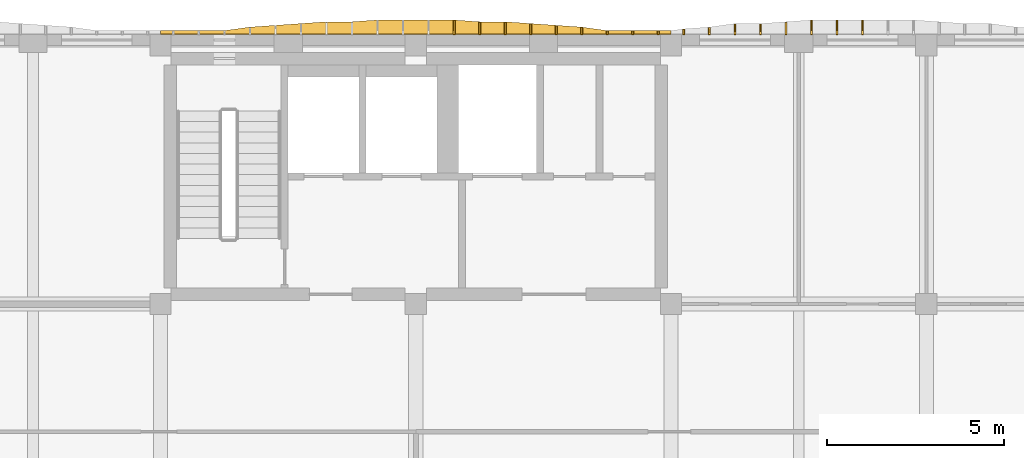
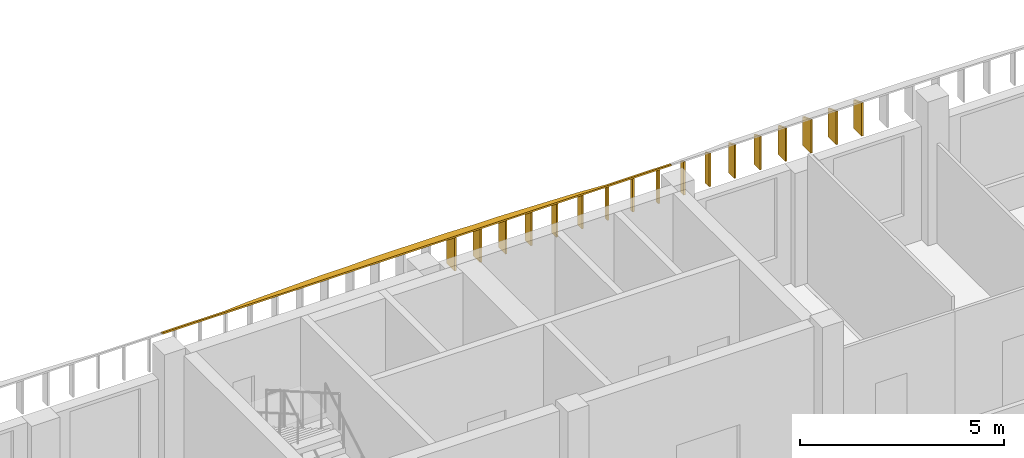
# One storey, part 31 of 38: 18 shading devices.
"""IFC4 building model written with IfcOpenShell, lengths in metres."""

from ifc_helpers import new_model, si_unit, direction, frame, origin, place, context, subcontext, project, spatial, polyline, outline, extrude, material, layer, layer_set, type_object, element, save


model = new_model("IFC4")

# Units and contexts
model_context = context("Model", 3, precision=1e-05, world=origin(), true_north=direction((0.0, 1.0)))
body_context = subcontext(model_context, "Body", "Model", "MODEL_VIEW")
ifc_project = project(units=[si_unit("LENGTHUNIT", "METRE"), si_unit("AREAUNIT", "SQUARE_METRE"), si_unit("VOLUMEUNIT", "CUBIC_METRE"), si_unit("PLANEANGLEUNIT", "RADIAN"), si_unit("MASSUNIT", "GRAM", prefix="KILO")], contexts=[model_context])

# Site, building, storey
site_placement = place(None, origin())
site = spatial("IfcSite", under=ifc_project, at=site_placement, CompositionType="ELEMENT")
building_placement = place(site_placement, origin())
building = spatial("IfcBuilding", under=site, at=building_placement, Name="Ussher Court Research Institute", CompositionType="ELEMENT")
storey_placement = place(building_placement, frame((0.0, 0.0, 23.39990234375)))
storey = spatial("IfcBuildingStorey", under=building, at=storey_placement, Name="L05", CompositionType="ELEMENT", Elevation=23.39990234375)

# Shading devices
ifc_material_1 = material(Name="Bronze anodised aluminium", Category="aluminium")
ifc_layer_1 = layer(ifc_material_1, 0.050048828125)
ifc_layer_set_1 = layer_set([ifc_layer_1], Name="Bronze anodised aluminium")
shading_device_type_1 = type_object("IfcShadingDeviceType", Name="Brim blade 100 mm deep 1000 mm high canted 20 deg dry", PredefinedType="USERDEFINED", material=ifc_layer_set_1)
for number, where, z_axis, x_axis, name in (
    (1, (58.800048828125, 90.800048828125, 3.4501953125), (0.0, 0.0, 1.0), (0.0, 1.0, 0.0), "Brim blade BS17 L05"),
    (2, (59.52001953125, 90.800048828125, 3.4501953125), (0.0, 0.0, 1.0), (0.0, 1.0, 0.0), "Brim blade BS17 L05"),
    (3, (60.239990234375, 90.800048828125, 3.4501953125), (0.0, 0.0, 1.0), (0.0, 1.0, 0.0), "Brim blade BS17 L05"),
):
    element("IfcShadingDevice", number, at=place(storey_placement, frame(where, z_axis=z_axis, x_axis=x_axis)), inside=storey, type_object=shading_device_type_1, Name=name, ObjectType="BLADE", PredefinedType="USERDEFINED", context=body_context, shape_type="SweptSolid", body=[
        extrude(outline(polyline([(0.0, 0.0), (0.099853515625, 0.0), (0.10009765625, 0.963623046875), (0.0, 1.0), (0.0, 0.0)])), frame((0.0, 0.02490234375, 0.0), z_axis=(0.0, -1.0, 0.0), x_axis=(1.0, 0.0, 0.0)), (0.0, 0.0, 1.0), 0.050048828125),
    ])
ifc_material_2 = material(Name="Bronze anodised aluminium", Category="aluminium")
ifc_layer_2 = layer(ifc_material_2, 0.050048828125)
ifc_layer_set_2 = layer_set([ifc_layer_2], Name="Bronze anodised aluminium")
shading_device_type_2 = type_object("IfcShadingDeviceType", Name="Brim blade 150 mm deep 1000 mm high canted 20 deg dry", PredefinedType="USERDEFINED", material=ifc_layer_set_2)
shading_device_1_placement = place(storey_placement, frame((60.9599609375, 90.800048828125, 3.4501953125), z_axis=(0.0, 0.0, 1.0), x_axis=(0.0, 1.0, 0.0)))
element("IfcShadingDevice", 4, at=shading_device_1_placement, inside=storey, type_object=shading_device_type_2, Name="Brim blade BS16 L05", ObjectType="BLADE", PredefinedType="USERDEFINED", context=body_context, shape_type="SweptSolid", body=[
    extrude(outline(polyline([(0.0, 0.0), (0.14990234375, 0.0), (0.14990234375, 0.9453125), (0.0, 1.0), (0.0, 0.0)])), frame((0.0, 0.02490234375, 0.0), z_axis=(0.0, -1.0, 0.0), x_axis=(1.0, 0.0, 0.0)), (0.0, 0.0, 1.0), 0.050048828125),
])
ifc_material_3 = material(Name="Bronze anodised aluminium", Category="aluminium")
ifc_layer_3 = layer(ifc_material_3, 0.050048828125)
ifc_layer_set_3 = layer_set([ifc_layer_3], Name="Bronze anodised aluminium")
shading_device_type_3 = type_object("IfcShadingDeviceType", Name="Brim blade 200 mm deep 1000 mm high canted 20 deg dry", PredefinedType="USERDEFINED", material=ifc_layer_set_3)
for number, where, z_axis, x_axis, name in (
    (5, (58.080078125, 90.800048828125, 3.4501953125), (0.0, 0.0, 1.0), (0.0, 1.0, 0.0), "Brim blade BS15 L05"),
    (6, (61.679931640625, 90.800048828125, 3.4501953125), (0.0, 0.0, 1.0), (0.0, 1.0, 0.0), "Brim blade BS15 L05"),
):
    element("IfcShadingDevice", number, at=place(storey_placement, frame(where, z_axis=z_axis, x_axis=x_axis)), inside=storey, type_object=shading_device_type_3, Name=name, ObjectType="BLADE", PredefinedType="USERDEFINED", context=body_context, shape_type="SweptSolid", body=[
        extrude(outline(polyline([(0.0, 0.0), (0.199951171875, 0.0), (0.199951171875, 0.927001953125), (0.0, 1.0), (0.0, 0.0)])), frame((0.0, 0.02490234375, 0.0), z_axis=(0.0, -1.0, 0.0), x_axis=(1.0, 0.0, 0.0)), (0.0, 0.0, 1.0), 0.050048828125),
    ])
ifc_material_4 = material(Name="Bronze anodised aluminium", Category="aluminium")
ifc_layer_4 = layer(ifc_material_4, 0.050048828125)
ifc_layer_set_4 = layer_set([ifc_layer_4], Name="Bronze anodised aluminium")
shading_device_type_4 = type_object("IfcShadingDeviceType", Name="Brim blade 250 mm deep 1000 mm high canted 20 deg dry", PredefinedType="USERDEFINED", material=ifc_layer_set_4)
shading_device_2_placement = place(storey_placement, frame((57.360107421875, 90.800048828125, 3.4501953125), z_axis=(0.0, 0.0, 1.0), x_axis=(0.0, 1.0, 0.0)))
element("IfcShadingDevice", 7, at=shading_device_2_placement, inside=storey, type_object=shading_device_type_4, Name="Brim blade BS14 L05", ObjectType="BLADE", PredefinedType="USERDEFINED", context=body_context, shape_type="SweptSolid", body=[
    extrude(outline(polyline([(0.0, 0.0), (0.25, 0.0), (0.25, 0.908935546875), (0.0, 1.0), (0.0, 0.0)])), frame((0.0, 0.02490234375, 0.0), z_axis=(0.0, -1.0, 0.0), x_axis=(1.0, 0.0, 0.0)), (0.0, 0.0, 1.0), 0.050048828125),
])
ifc_material_5 = material(Name="Bronze anodised aluminium", Category="aluminium")
ifc_layer_5 = layer(ifc_material_5, 0.050048828125)
ifc_layer_set_5 = layer_set([ifc_layer_5], Name="Bronze anodised aluminium")
shading_device_type_5 = type_object("IfcShadingDeviceType", Name="Brim blade 300 mm deep 1000 mm high canted 20 deg dry", PredefinedType="USERDEFINED", material=ifc_layer_set_5)
for number, where, z_axis, x_axis, name in (
    (8, (56.639892578125, 90.800048828125, 3.4501953125), (0.0, 0.0, 1.0), (0.0, 1.0, 0.0), "Brim blade BS13 L05"),
    (9, (62.39990234375, 90.800048828125, 3.4501953125), (0.0, 0.0, 1.0), (0.0, 1.0, 0.0), "Brim blade BS13 L05"),
    (10, (63.1201171875, 90.800048828125, 3.4501953125), (0.0, 0.0, 1.0), (0.0, 1.0, 0.0), "Brim blade BS13 L05"),
):
    element("IfcShadingDevice", number, at=place(storey_placement, frame(where, z_axis=z_axis, x_axis=x_axis)), inside=storey, type_object=shading_device_type_5, Name=name, ObjectType="BLADE", PredefinedType="USERDEFINED", context=body_context, shape_type="SweptSolid", body=[
        extrude(outline(polyline([(0.0, 0.0), (0.300048828125, 0.0), (0.300048828125, 0.890625), (0.0, 1.0), (0.0, 0.0)])), frame((0.0, 0.02490234375, 0.0), z_axis=(0.0, -1.0, 0.0), x_axis=(1.0, 0.0, 0.0)), (0.0, 0.0, 1.0), 0.050048828125),
    ])
ifc_material_6 = material(Name="Bronze anodised aluminium", Category="aluminium")
ifc_layer_6 = layer(ifc_material_6, 0.050048828125)
ifc_layer_set_6 = layer_set([ifc_layer_6], Name="Bronze anodised aluminium")
shading_device_type_6 = type_object("IfcShadingDeviceType", Name="Brim blade 350 mm deep 1000 mm high canted 20 deg dry", PredefinedType="USERDEFINED", material=ifc_layer_set_6)
for number, where, z_axis, x_axis, name in (
    (11, (55.199951171875, 90.800048828125, 3.4501953125), (0.0, 0.0, 1.0), (0.0, 1.0, 0.0), "Brim blade BS12 L05"),
    (12, (55.919921875, 90.800048828125, 3.4501953125), (0.0, 0.0, 1.0), (0.0, 1.0, 0.0), "Brim blade BS12 L05"),
    (13, (63.840087890625, 90.800048828125, 3.4501953125), (0.0, 0.0, 1.0), (0.0, 1.0, 0.0), "Brim blade BS12 L05"),
):
    element("IfcShadingDevice", number, at=place(storey_placement, frame(where, z_axis=z_axis, x_axis=x_axis)), inside=storey, type_object=shading_device_type_6, Name=name, ObjectType="BLADE", PredefinedType="USERDEFINED", context=body_context, shape_type="SweptSolid", body=[
        extrude(outline(polyline([(0.0, 0.0), (0.349853515625, 0.0), (0.35009765625, 0.87255859375), (0.0, 1.0), (0.0, 0.0)])), frame((0.0, 0.02490234375, 0.0), z_axis=(0.0, -1.0, 0.0), x_axis=(1.0, 0.0, 0.0)), (0.0, 0.0, 1.0), 0.050048828125),
    ])
ifc_material_7 = material(Name="Bronze anodised aluminium", Category="aluminium")
ifc_layer_7 = layer(ifc_material_7, 0.050048828125)
ifc_layer_set_7 = layer_set([ifc_layer_7], Name="Bronze anodised aluminium")
shading_device_type_7 = type_object("IfcShadingDeviceType", Name="Brim blade 400 mm deep 1000 mm high canted 20 deg dry", PredefinedType="USERDEFINED", material=ifc_layer_set_7)
for number, where, z_axis, x_axis, name in (
    (14, (54.47998046875, 90.800048828125, 3.4501953125), (0.0, 0.0, 1.0), (0.0, 1.0, 0.0), "Brim blade BS11 L05"),
    (15, (64.56005859375, 90.800048828125, 3.4501953125), (0.0, 0.0, 1.0), (0.0, 1.0, 0.0), "Brim blade BS11 L05"),
    (16, (65.280029296875, 90.800048828125, 3.4501953125), (0.0, 0.0, 1.0), (0.0, 1.0, 0.0), "Brim blade BS11 L05"),
    (17, (66.0, 90.800048828125, 3.4501953125), (0.0, 0.0, 1.0), (0.0, 1.0, 0.0), "Brim blade BS11 L05"),
):
    element("IfcShadingDevice", number, at=place(storey_placement, frame(where, z_axis=z_axis, x_axis=x_axis)), inside=storey, type_object=shading_device_type_7, Name=name, ObjectType="BLADE", PredefinedType="USERDEFINED", context=body_context, shape_type="SweptSolid", body=[
        extrude(outline(polyline([(0.0, 0.0), (0.39990234375, 0.0), (0.39990234375, 0.854248046875), (0.0, 1.0), (0.0, 0.0)])), frame((0.0, 0.02490234375, 0.0), z_axis=(0.0, -1.0, 0.0), x_axis=(1.0, 0.0, 0.0)), (0.0, 0.0, 1.0), 0.050048828125),
    ])
ifc_material_8 = material(Name="Bronze anodised aluminium", Category="aluminium")
ifc_layer_8 = layer(ifc_material_8, 0.0400390625)
ifc_layer_set_8 = layer_set([ifc_layer_8], Name="Bronze anodised aluminium")
shading_device_type_8 = type_object("IfcShadingDeviceType", Name="Brim visor sheet 40 mm canted 20 deg dry", PredefinedType="USERDEFINED", material=ifc_layer_set_8)
shading_device_3_placement = place(storey_placement, frame((46.199951171875, 90.813720703125, 4.48779296875), z_axis=(0.0, 0.342255779972, 0.9396068226), x_axis=(1.0, 0.0, 0.0)))
element("IfcShadingDevice", 18, at=shading_device_3_placement, inside=storey, type_object=shading_device_type_8, Name="Brim visor sheet BR2 L05", ObjectType="BRIM", PredefinedType="USERDEFINED", context=body_context, shape_type="SweptSolid", body=[
    extrude(outline(polyline([(0.0, 0.0), (14.400146484375, 0.0), (14.400146484375, 0.10650266320353347), (14.0400390625, 0.10650266320353347), (13.320068359375, 0.10650266320353347), (12.60009765625, 0.10650266320353347), (11.880126953125, 0.21285948875017546), (11.16015625, 0.2660690410819261), (10.43994140625, 0.319362151953709), (9.719970703125, 0.3725717042854596), (9.0, 0.3725717042854596), (8.280029296875, 0.4256354189603187), (7.56005859375, 0.4256354189603187), (6.840087890625, 0.4256354189603187), (6.1201171875, 0.4256354189603187), (5.400146484375, 0.3725717042854596), (4.679931640625, 0.3725717042854596), (3.9599609375, 0.319362151953709), (3.239990234375, 0.2660690410819261), (2.52001953125, 0.21285948875017546), (1.800048828125, 0.10650266320353347), (1.080078125, 0.10650266320353347), (0.360107421875, 0.10650266320353347), (0.0, 0.10650266320353347), (0.0, 0.0)])), origin(), (0.0, 0.0, -1.0), 0.0400390625),
])

save(model, "model.ifc")
